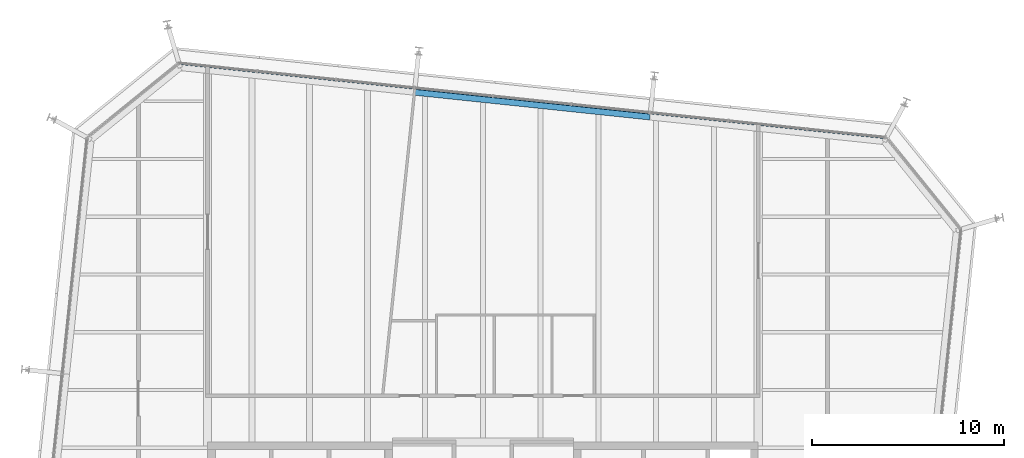
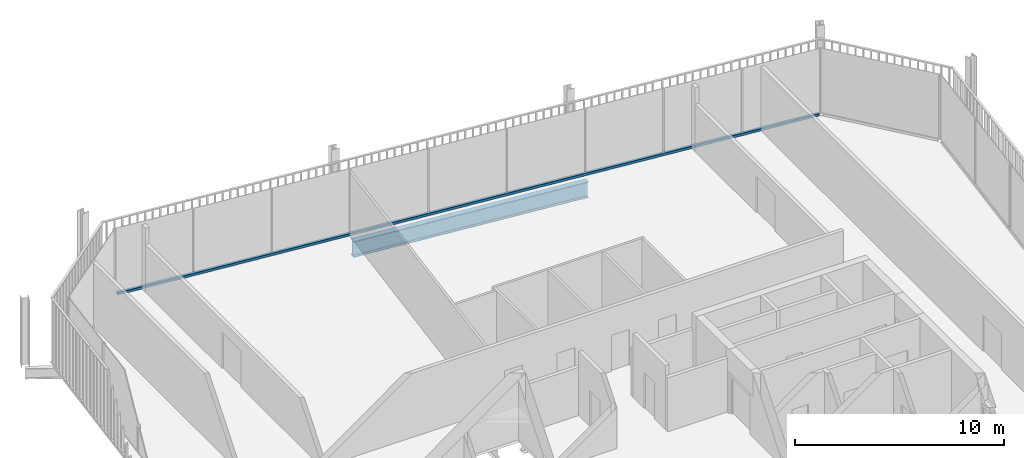
# One storey, part 13 of 20: 1 beam, 1 member, 1 element without a shape of its own.
"""IFC4 building model written with IfcOpenShell, lengths in metres."""

from ifc_helpers import new_model, si_unit, direction, frame, origin, origin_2d, place, context, subcontext, project, spatial, rectangle, i_section, extrude, material, layer, layer_set, material_profile, profile_set, type_object, element, aggregate, save


model = new_model("IFC4")

# Units and contexts
model_context = context("Model", 3, precision=1e-05, world=origin(), true_north=direction((0.0, 1.0)))
body_context = subcontext(model_context, "Body", "Model", "MODEL_VIEW")
ifc_project = project(units=[si_unit("LENGTHUNIT", "METRE"), si_unit("AREAUNIT", "SQUARE_METRE"), si_unit("VOLUMEUNIT", "CUBIC_METRE"), si_unit("PLANEANGLEUNIT", "RADIAN"), si_unit("MASSUNIT", "GRAM", prefix="KILO")], contexts=[model_context])

# Site, building, storey
site_placement = place(None, origin())
site = spatial("IfcSite", under=ifc_project, at=site_placement, CompositionType="ELEMENT")
building_placement = place(site_placement, origin())
building = spatial("IfcBuilding", under=site, at=building_placement, Name="Millrace Tower", CompositionType="ELEMENT")
storey_placement = place(building_placement, frame((0.0, 0.0, 322.60009765625)))
storey = spatial("IfcBuildingStorey", under=building, at=storey_placement, Name="L74", CompositionType="ELEMENT", Elevation=322.60009765625)

# Curtain wall, member
ifc_material_1 = material(Name="Aluminium and glass", Category="aluminium")
ifc_layer = layer(ifc_material_1, 0.14990234375)
ifc_layer_set = layer_set([ifc_layer], Name="Aluminium and glass")
curtain_wall_type = type_object("IfcCurtainWallType", Name="CW-1 office vision curtain wall", PredefinedType="NOTDEFINED", material=ifc_layer_set)
curtain_wall_placement = place(storey_placement, origin())
curtain_wall = element("IfcCurtainWall", 1, at=curtain_wall_placement, inside=storey, type_object=curtain_wall_type, Name="Curtain wall E-F06 L74", PredefinedType="NOTDEFINED")
ifc_material_2 = material(Name="Aluminium", Category="aluminium")
ifc_material_profile_1 = material_profile(ifc_material_2, rectangle(XDim=0.14990234375, YDim=0.139892578125, at=origin_2d()))
ifc_profile_set_1 = profile_set([ifc_material_profile_1], Name="Aluminium")
member_type = type_object("IfcMemberType", Name="CW-1 office vision curtain wall transom", PredefinedType="USERDEFINED", material=ifc_profile_set_1)
member_placement = place(storey_placement, frame((20.83544921875, 25.1318359375, 0.06982421875), z_axis=(-0.994521952886, 0.104527916025, 0.0), x_axis=(-0.104527916025, -0.994521952886, 0.0)))
member = element("IfcMember", 2, at=member_placement, type_object=member_type, Name="CW1 transom E-F06.1", ObjectType="TRANSOM", PredefinedType="USERDEFINED", context=body_context, shape_type="SweptSolid", body=[
    extrude(rectangle(XDim=0.14990234375, YDim=0.139892578125, at=origin_2d()), origin(), (0.0, 0.0, 1.0), 36.699951171875),
])
aggregate(curtain_wall, [member])

# Beam
ifc_material_3 = material(Name="Steel ASTM A992 Grade 50", Category="steel")
ifc_material_profile_2 = material_profile(ifc_material_3, i_section(OverallWidth=0.307373046875, OverallDepth=0.927001953125, WebThickness=0.01953125, FlangeThickness=0.031982421875, FilletRadius=0.01904296875, at=origin_2d()))
ifc_profile_set_2 = profile_set([ifc_material_profile_2], Name="Steel ASTM A992 Grade 50")
beam_type = type_object("IfcBeamType", Name="Ring beam medium span W36x194", PredefinedType="SPANDREL", material=ifc_profile_set_2)
beam_placement = place(storey_placement, frame((-3.554443359375, 27.46533203125, -0.62353515625), z_axis=(0.994522406476, -0.104523600289, 0.0), x_axis=(0.104523600289, 0.994522406476, 0.0)))
element("IfcBeam", 3, at=beam_placement, inside=storey, type_object=beam_type, Name="RNG-E-L74-S1-06", PredefinedType="SPANDREL", context=body_context, shape_type="SweptSolid", body=[
    extrude(i_section(OverallWidth=0.307373046875, OverallDepth=0.927001953125, WebThickness=0.01953125, FlangeThickness=0.031982421875, FilletRadius=0.01904296875, at=origin_2d()), origin(), (0.0, 0.0, 1.0), 12.300048828125),
])

save(model, "model.ifc")
